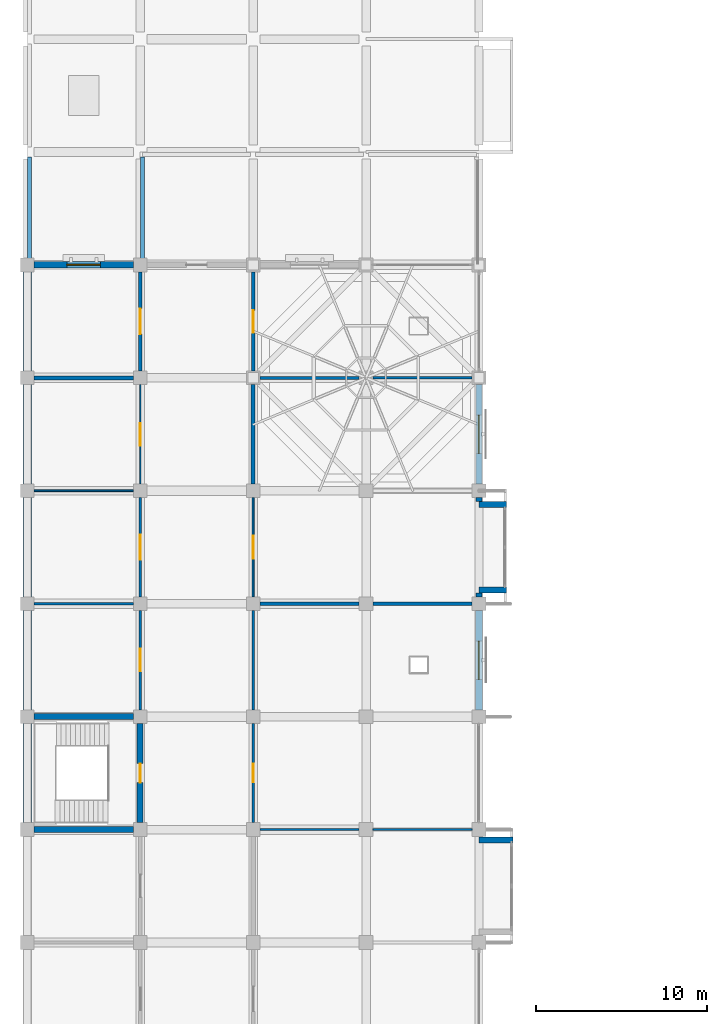
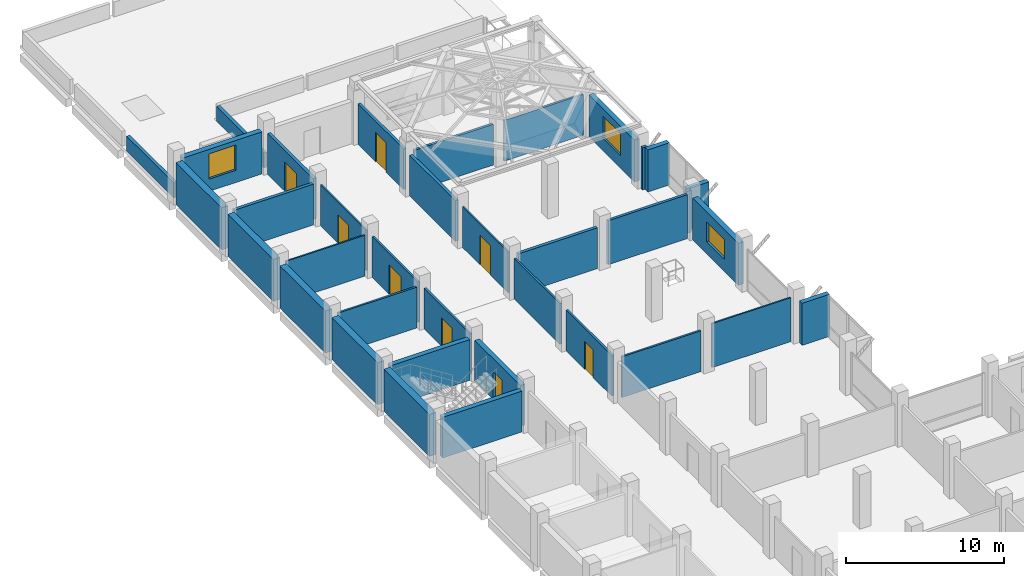
# One storey, part 18 of 25: 36 walls, 8 doors, 3 windows, 11 openings.
"""IFC4 building model written with IfcOpenShell, lengths in metres."""

from ifc_helpers import new_model, si_unit, direction, frame, frame_2d, origin, place, context, subcontext, project, spatial, rectangle, extrude, material, layer, layer_set, type_object, element, fill, save


model = new_model("IFC4")

# Units and contexts
model_context = context("Model", 3, precision=1e-05, world=origin(), true_north=direction((0.0, 1.0)))
body_context = subcontext(model_context, "Body", "Model", "MODEL_VIEW")
ifc_project = project(units=[si_unit("LENGTHUNIT", "METRE"), si_unit("AREAUNIT", "SQUARE_METRE"), si_unit("VOLUMEUNIT", "CUBIC_METRE"), si_unit("PLANEANGLEUNIT", "RADIAN"), si_unit("MASSUNIT", "GRAM", prefix="KILO")], contexts=[model_context])

# Site, building, storey
site_placement = place(None, origin())
site = spatial("IfcSite", under=ifc_project, at=site_placement, CompositionType="ELEMENT")
building_placement = place(site_placement, origin())
building = spatial("IfcBuilding", under=site, at=building_placement, Name="Rusizi Kubbe Research Institute", CompositionType="ELEMENT")
storey_placement = place(building_placement, frame((0.0, 0.0, 14.39990234375)))
storey = spatial("IfcBuildingStorey", under=building, at=storey_placement, Name="L03", CompositionType="ELEMENT", Elevation=14.39990234375)

# Walls
ifc_material_1 = material(Name="Concrete C45/55", Category="concrete")
ifc_layer_1 = layer(ifc_material_1, 0.35009765625)
ifc_layer_set_1 = layer_set([ifc_layer_1], Name="Concrete C45/55")
wall_type_1 = type_object("IfcWallType", Name="CRW-01", PredefinedType="SHEAR", material=ifc_layer_set_1)
for number, where, z_axis, x_axis, name in (
    (1, (0.39990234375, 66.0, 0.0), (0.0, 0.0, 1.0), (1.0, 0.0, 0.0), "Stair Core Shear Wall ST5 L03 S"),
    (2, (0.39990234375, 72.60009765625, 0.0), (0.0, 0.0, 1.0), (1.0, 0.0, 0.0), "Stair Core Shear Wall ST5 L03 N"),
):
    element("IfcWall", number, at=place(storey_placement, frame(where, z_axis=z_axis, x_axis=x_axis)), inside=storey, type_object=wall_type_1, Name=name, PredefinedType="SHEAR", context=body_context, shape_type="SweptSolid", body=[
        extrude(rectangle(XDim=5.800048828125, YDim=0.35009765625, at=frame_2d((2.89990234375, 0.0))), origin(), (0.0, 0.0, 1.0), 3.16015625),
    ])

# Wall, opening, door
wall_1_placement = place(storey_placement, frame((6.60009765625, 66.39990234375, 0.0), z_axis=(0.0, 0.0, 1.0), x_axis=(0.0, 1.0, 0.0)))
wall_1 = element("IfcWall", 3, at=wall_1_placement, inside=storey, type_object=wall_type_1, Name="Stair Core Shear Wall ST5 L03 E", PredefinedType="SHEAR", context=body_context, shape_type="SweptSolid", body=[
    extrude(rectangle(XDim=5.800048828125, YDim=0.35009765625, at=frame_2d((2.89990234375, 0.0))), origin(), (0.0, 0.0, 1.0), 3.16015625),
])
opening_1_placement = place(wall_1_placement, frame((2.35009765625, 0.0, 0.0)))
opening_1 = element("IfcOpeningElement", 4, at=opening_1_placement, cuts=wall_1, Name="Opening D-01", PredefinedType="OPENING", context=body_context, shape_type="SweptSolid", body=[
    extrude(rectangle(XDim=1.10009765625, YDim=2.14990234375, at=frame_2d((0.550048828125, 1.074951171875))), frame((0.0, 0.18505859375, 0.0), z_axis=(0.0, -1.0, 0.0), x_axis=(1.0, 0.0, 0.0)), (0.0, 0.0, 1.0), 0.3701171875),
])
ifc_material_2 = material(Name="Fire-Rated Steel Frame and Acoustic Timber Leaf", Category="wood")
door_type_1 = type_object("IfcDoorType", Name="ID-STAIR-110", OperationType="NOTDEFINED", PredefinedType="DOOR", material=ifc_material_2)
door_1_placement = place(opening_1_placement, origin())
door_1 = element("IfcDoor", 5, at=door_1_placement, inside=storey, type_object=door_type_1, Name="Exit Stair Door ST5 L03", OperationType="SINGLE_SWING_LEFT", OverallHeight=2.14990234375, OverallWidth=1.10009765625, PredefinedType="DOOR", context=body_context, shape_type="SweptSolid", body=[
    extrude(rectangle(XDim=1.10009765625, YDim=2.14990234375, at=frame_2d((0.550048828125, 1.074951171875))), frame((0.0, 0.02490234375, 0.0), z_axis=(0.0, -1.0, 0.0), x_axis=(1.0, 0.0, 0.0)), (0.0, 0.0, 1.0), 0.050048828125),
])
fill(opening_1, door_1)

# Wall, opening, window
ifc_material_3 = material(Name="Volcanic Basalt Ashlar Masonry", Category="masonry")
ifc_layer_2 = layer(ifc_material_3, 0.385009765625)
ifc_layer_set_2 = layer_set([ifc_layer_2], Name="Volcanic Basalt Ashlar Masonry")
wall_type_2 = type_object("IfcWallType", Name="EW-04", PredefinedType="SOLIDWALL", material=ifc_layer_set_2)
wall_2_placement = place(storey_placement, frame((0.39990234375, 99.0, 0.0), z_axis=(0.0, 0.0, 1.0), x_axis=(1.0, 0.0, 0.0)))
wall_2 = element("IfcWall", 6, at=wall_2_placement, inside=storey, type_object=wall_type_2, Name="Ablaq Stone Exterior Wall L03 H0-15", PredefinedType="SOLIDWALL", context=body_context, shape_type="SweptSolid", body=[
    extrude(rectangle(XDim=5.800048828125, YDim=0.385009765625, at=frame_2d((2.89990234375, 0.0))), origin(), (0.0, 0.0, 1.0), 3.260009765625),
])
opening_2_placement = place(wall_2_placement, frame((1.919921875, 0.0, 0.949951171875)))
opening_2 = element("IfcOpeningElement", 7, at=opening_2_placement, cuts=wall_2, Name="Opening WN-28", PredefinedType="OPENING", context=body_context, shape_type="SweptSolid", body=[
    extrude(rectangle(XDim=1.9599609375, YDim=1.9599609375, at=frame_2d((0.97998046875, 0.97998046875))), frame((0.0, 0.202392578125, 0.0), z_axis=(0.0, -1.0, 0.0), x_axis=(1.0, 0.0, 0.0)), (0.0, 0.0, 1.0), 0.405029296875),
])
ifc_material_4 = material(Name="Aluminium Frame and Solar-Control Double Glazing", Category="glass")
window_type_1 = type_object("IfcWindowType", Name="WN-28", PartitioningType="DOUBLE_PANEL_VERTICAL", PredefinedType="WINDOW", material=ifc_material_4)
window_1_placement = place(opening_2_placement, origin())
window_1 = element("IfcWindow", 8, at=window_1_placement, inside=storey, type_object=window_type_1, Name="Casement Window WN-28 L03", OverallHeight=1.9599609375, OverallWidth=1.9599609375, PartitioningType="DOUBLE_PANEL_VERTICAL", PredefinedType="WINDOW", context=body_context, shape_type="SweptSolid", body=[
    extrude(rectangle(XDim=1.9599609375, YDim=1.9599609375, at=frame_2d((0.97998046875, 0.97998046875))), frame((0.0, 0.030029296875, 0.0), z_axis=(0.0, -1.0, 0.0), x_axis=(1.0, 0.0, 0.0)), (0.0, 0.0, 1.0), 0.06005859375),
])
fill(opening_2, window_1)

wall_3_placement = place(storey_placement, frame((26.39990234375, 73.0, 0.0), z_axis=(0.0, 0.0, 1.0), x_axis=(0.0, 1.0, 0.0)))
wall_3 = element("IfcWall", 9, at=wall_3_placement, inside=storey, type_object=wall_type_2, Name="Ablaq Stone Exterior Wall L03 V4-11", PredefinedType="SOLIDWALL", context=body_context, shape_type="SweptSolid", body=[
    extrude(rectangle(XDim=5.800048828125, YDim=0.385009765625, at=frame_2d((2.89990234375, 0.0))), origin(), (0.0, 0.0, 1.0), 3.260009765625),
])
opening_3_placement = place(wall_3_placement, frame((1.780029296875, 0.0, 0.949951171875)))
opening_3 = element("IfcOpeningElement", 10, at=opening_3_placement, cuts=wall_3, Name="Opening WN-30", PredefinedType="OPENING", context=body_context, shape_type="SweptSolid", body=[
    extrude(rectangle(XDim=2.239990234375, YDim=1.52001953125, at=frame_2d((1.1201171875, 0.760009765625))), frame((0.0, 0.202392578125, 0.0), z_axis=(0.0, -1.0, 0.0), x_axis=(1.0, 0.0, 0.0)), (0.0, 0.0, 1.0), 0.405029296875),
])
ifc_material_5 = material(Name="Aluminium Frame and Solar-Control Double Glazing", Category="glass")
window_type_2 = type_object("IfcWindowType", Name="WN-30", PartitioningType="DOUBLE_PANEL_VERTICAL", PredefinedType="WINDOW", material=ifc_material_5)
window_2_placement = place(opening_3_placement, origin())
window_2 = element("IfcWindow", 11, at=window_2_placement, inside=storey, type_object=window_type_2, Name="Casement Window WN-30 L03", OverallHeight=1.52001953125, OverallWidth=2.239990234375, PartitioningType="DOUBLE_PANEL_VERTICAL", PredefinedType="WINDOW", context=body_context, shape_type="SweptSolid", body=[
    extrude(rectangle(XDim=2.239990234375, YDim=1.52001953125, at=frame_2d((1.1201171875, 0.760009765625))), frame((0.0, 0.030029296875, 0.0), z_axis=(0.0, -1.0, 0.0), x_axis=(1.0, 0.0, 0.0)), (0.0, 0.0, 1.0), 0.06005859375),
])
fill(opening_3, window_2)

# Walls
ifc_material_6 = material(Name="Volcanic Basalt Ashlar Masonry", Category="masonry")
ifc_layer_3 = layer(ifc_material_6, 0.35498046875)
ifc_layer_set_3 = layer_set([ifc_layer_3], Name="Volcanic Basalt Ashlar Masonry")
wall_type_3 = type_object("IfcWallType", Name="EW-06", PredefinedType="SOLIDWALL", material=ifc_layer_set_3)
wall_4_placement = place(storey_placement, frame((26.39990234375, 65.39990234375, 0.0), z_axis=(0.0, 0.0, 1.0), x_axis=(1.0, 0.0, 0.0)))
element("IfcWall", 12, at=wall_4_placement, inside=storey, type_object=wall_type_3, Name="Cumba Return Wall N L03 (4,9)", PredefinedType="SOLIDWALL", context=body_context, shape_type="SweptSolid", body=[
    extrude(rectangle(XDim=2.0, YDim=0.35498046875, at=frame_2d((1.0, 0.0))), origin(), (0.0, 0.0, 1.0), 3.260009765625),
])
for number, where, z_axis, x_axis, name in (
    (13, (26.39990234375, 79.60009765625, 0.0), (0.0, 0.0, 1.0), (0.0, 1.0, 0.0), "Cumba South Pier L03 (4,12)"),
    (14, (26.39990234375, 85.1826171875, 0.0), (0.0, 0.0, 1.0), (0.0, 1.0, 0.0), "Cumba North Pier L03 (4,12)"),
):
    element("IfcWall", number, at=place(storey_placement, frame(where, z_axis=z_axis, x_axis=x_axis)), inside=storey, type_object=wall_type_3, Name=name, PredefinedType="SOLIDWALL", context=body_context, shape_type="SweptSolid", body=[
        extrude(rectangle(XDim=0.21728515625, YDim=0.35498046875, at=frame_2d((0.108642578125, 0.0))), origin(), (0.0, 0.0, 1.0), 3.260009765625),
    ])
for number, where, z_axis, x_axis, name in (
    (15, (26.39990234375, 80.0, 0.0), (0.0, 0.0, 1.0), (1.0, 0.0, 0.0), "Cumba Return Wall S L03 (4,12)"),
    (16, (26.39990234375, 85.0, 0.0), (0.0, 0.0, 1.0), (1.0, 0.0, 0.0), "Cumba Return Wall N L03 (4,12)"),
):
    element("IfcWall", number, at=place(storey_placement, frame(where, z_axis=z_axis, x_axis=x_axis)), inside=storey, type_object=wall_type_3, Name=name, PredefinedType="SOLIDWALL", context=body_context, shape_type="SweptSolid", body=[
        extrude(rectangle(XDim=1.60009765625, YDim=0.35498046875, at=frame_2d((0.800048828125, 0.0))), origin(), (0.0, 0.0, 1.0), 3.260009765625),
    ])

# Wall, opening, window
wall_5_placement = place(storey_placement, frame((26.39990234375, 86.199951171875, 0.0), z_axis=(0.0, 0.0, 1.0), x_axis=(0.0, 1.0, 0.0)))
wall_5 = element("IfcWall", 17, at=wall_5_placement, inside=storey, type_object=wall_type_3, Name="Ablaq Stone Exterior Wall L03 V4-13", PredefinedType="SOLIDWALL", context=body_context, shape_type="SweptSolid", body=[
    extrude(rectangle(XDim=5.800048828125, YDim=0.35498046875, at=frame_2d((2.89990234375, 0.0))), origin(), (0.0, 0.0, 1.0), 3.260009765625),
])
opening_4_placement = place(wall_5_placement, frame((1.780029296875, 0.0, 0.949951171875)))
opening_4 = element("IfcOpeningElement", 18, at=opening_4_placement, cuts=wall_5, Name="Opening WN-31", PredefinedType="OPENING", context=body_context, shape_type="SweptSolid", body=[
    extrude(rectangle(XDim=2.239990234375, YDim=1.739990234375, at=frame_2d((1.1201171875, 0.8701171875))), frame((0.0, 0.1875, 0.0), z_axis=(0.0, -1.0, 0.0), x_axis=(1.0, 0.0, 0.0)), (0.0, 0.0, 1.0), 0.375),
])
ifc_material_7 = material(Name="Aluminium Frame and Solar-Control Double Glazing", Category="glass")
window_type_3 = type_object("IfcWindowType", Name="WN-31", PartitioningType="DOUBLE_PANEL_VERTICAL", PredefinedType="WINDOW", material=ifc_material_7)
window_3_placement = place(opening_4_placement, origin())
window_3 = element("IfcWindow", 19, at=window_3_placement, inside=storey, type_object=window_type_3, Name="Casement Window WN-31 L03", OverallHeight=1.739990234375, OverallWidth=2.239990234375, PartitioningType="DOUBLE_PANEL_VERTICAL", PredefinedType="WINDOW", context=body_context, shape_type="SweptSolid", body=[
    extrude(rectangle(XDim=2.239990234375, YDim=1.739990234375, at=frame_2d((1.1201171875, 0.8701171875))), frame((0.0, 0.030029296875, 0.0), z_axis=(0.0, -1.0, 0.0), x_axis=(1.0, 0.0, 0.0)), (0.0, 0.0, 1.0), 0.06005859375),
])
fill(opening_4, window_3)

# Wall
ifc_material_8 = material(Name="Concrete Blockwork Fire Partition", Category="masonry")
ifc_layer_4 = layer(ifc_material_8, 0.22509765625)
ifc_layer_set_4 = layer_set([ifc_layer_4], Name="Concrete Blockwork Fire Partition")
wall_type_4 = type_object("IfcWallType", Name="IW-01", PredefinedType="PARTITIONING", material=ifc_layer_set_4)
wall_6_placement = place(storey_placement, frame((0.39990234375, 92.39990234375, 0.0), z_axis=(0.0, 0.0, 1.0), x_axis=(1.0, 0.0, 0.0)))
element("IfcWall", 20, at=wall_6_placement, inside=storey, type_object=wall_type_4, Name="Interior Partition Wall L03 H0-14", PredefinedType="PARTITIONING", context=body_context, shape_type="SweptSolid", body=[
    extrude(rectangle(XDim=5.800048828125, YDim=0.22509765625, at=frame_2d((2.89990234375, 0.0))), origin(), (0.0, 0.0, 1.0), 3.16015625),
])

# Wall, opening, door
wall_7_placement = place(storey_placement, frame((6.60009765625, 92.800048828125, 0.0), z_axis=(0.0, 0.0, 1.0), x_axis=(0.0, 1.0, 0.0)))
wall_7 = element("IfcWall", 21, at=wall_7_placement, inside=storey, type_object=wall_type_4, Name="Interior Partition Wall L03 V1-14", PredefinedType="PARTITIONING", context=body_context, shape_type="SweptSolid", body=[
    extrude(rectangle(XDim=5.800048828125, YDim=0.22509765625, at=frame_2d((2.89990234375, 0.0))), origin(), (0.0, 0.0, 1.0), 3.16015625),
])
opening_5_placement = place(wall_7_placement, frame((2.159912109375, 0.0, 0.0)))
opening_5 = element("IfcOpeningElement", 22, at=opening_5_placement, cuts=wall_7, Name="Opening LD-08", PredefinedType="OPENING", context=body_context, shape_type="SweptSolid", body=[
    extrude(rectangle(XDim=1.47998046875, YDim=2.25, at=frame_2d((0.739990234375, 1.125))), frame((0.0, 0.12255859375, 0.0), z_axis=(0.0, -1.0, 0.0), x_axis=(1.0, 0.0, 0.0)), (0.0, 0.0, 1.0), 0.2451171875),
])
ifc_material_9 = material(Name="Brushed Stainless Steel Sliding Door", Category="steel")
door_type_2 = type_object("IfcDoorType", Name="LD-08", OperationType="DOUBLE_DOOR_SLIDING", PredefinedType="USERDEFINED", material=ifc_material_9)
door_2_placement = place(opening_5_placement, origin())
door_2 = element("IfcDoor", 23, at=door_2_placement, inside=storey, type_object=door_type_2, Name="Door to ISO-6 Clean Room Suite (L03-CR-14)", ObjectType="SLIDING DOOR", OperationType="DOUBLE_DOOR_SLIDING", OverallHeight=2.25, OverallWidth=1.47998046875, PredefinedType="USERDEFINED", context=body_context, shape_type="SweptSolid", body=[
    extrude(rectangle(XDim=1.47998046875, YDim=2.25, at=frame_2d((0.739990234375, 1.125))), frame((0.0, 0.02490234375, 0.0), z_axis=(0.0, -1.0, 0.0), x_axis=(1.0, 0.0, 0.0)), (0.0, 0.0, 1.0), 0.050048828125),
])
fill(opening_5, door_2)

# Walls
wall_8_placement = place(storey_placement, frame((13.199951171875, 86.199951171875, 0.0), z_axis=(0.0, 0.0, 1.0), x_axis=(0.0, 1.0, 0.0)))
element("IfcWall", 24, at=wall_8_placement, inside=storey, type_object=wall_type_4, Name="Interior Partition Wall L03 V2-13", PredefinedType="PARTITIONING", context=body_context, shape_type="SweptSolid", body=[
    extrude(rectangle(XDim=5.800048828125, YDim=0.22509765625, at=frame_2d((2.89990234375, 0.0))), origin(), (0.0, 0.0, 1.0), 3.16015625),
])
wall_9_placement = place(storey_placement, frame((13.60009765625, 79.199951171875, 0.0), z_axis=(0.0, 0.0, 1.0), x_axis=(1.0, 0.0, 0.0)))
element("IfcWall", 25, at=wall_9_placement, inside=storey, type_object=wall_type_4, Name="Interior Partition Wall L03 H2-12", PredefinedType="PARTITIONING", context=body_context, shape_type="SweptSolid", body=[
    extrude(rectangle(XDim=5.7998046875, YDim=0.22509765625, at=frame_2d((2.89990234375, 0.0))), origin(), (0.0, 0.0, 1.0), 3.16015625),
])

# Wall, opening, door
ifc_material_10 = material(Name="Insulated Cleanroom Partition", Category="masonry")
ifc_layer_5 = layer(ifc_material_10, 0.195068359375)
ifc_layer_set_5 = layer_set([ifc_layer_5], Name="Insulated Cleanroom Partition")
wall_type_5 = type_object("IfcWallType", Name="IW-02", PredefinedType="PARTITIONING", material=ifc_layer_set_5)
wall_10_placement = place(storey_placement, frame((13.199951171875, 92.800048828125, 0.0), z_axis=(0.0, 0.0, 1.0), x_axis=(0.0, 1.0, 0.0)))
wall_10 = element("IfcWall", 26, at=wall_10_placement, inside=storey, type_object=wall_type_5, Name="Interior Partition Wall L03 V2-14", PredefinedType="PARTITIONING", context=body_context, shape_type="SweptSolid", body=[
    extrude(rectangle(XDim=5.800048828125, YDim=0.195068359375, at=frame_2d((2.89990234375, 0.0))), origin(), (0.0, 0.0, 1.0), 3.16015625),
])
opening_6_placement = place(wall_10_placement, frame((2.25, 0.0, 0.0)))
opening_6 = element("IfcOpeningElement", 27, at=opening_6_placement, cuts=wall_10, Name="Opening D-14", PredefinedType="OPENING", context=body_context, shape_type="SweptSolid", body=[
    extrude(rectangle(XDim=1.300048828125, YDim=2.300048828125, at=frame_2d((0.64990234375, 1.14990234375))), frame((0.0, 0.107421875, 0.0), z_axis=(0.0, -1.0, 0.0), x_axis=(1.0, 0.0, 0.0)), (0.0, 0.0, 1.0), 0.215087890625),
])
ifc_material_11 = material(Name="Fire-Rated Steel Frame and Acoustic Timber Leaf", Category="wood")
door_type_3 = type_object("IfcDoorType", Name="ID-LAB-130", OperationType="NOTDEFINED", PredefinedType="DOOR", material=ifc_material_11)
door_3_placement = place(opening_6_placement, origin())
door_3 = element("IfcDoor", 28, at=door_3_placement, inside=storey, type_object=door_type_3, Name="Door to Computational Dry Laboratory (L03-NW-07)", OperationType="SINGLE_SWING_RIGHT", OverallHeight=2.300048828125, OverallWidth=1.300048828125, PredefinedType="DOOR", context=body_context, shape_type="SweptSolid", body=[
    extrude(rectangle(XDim=1.300048828125, YDim=2.300048828125, at=frame_2d((0.64990234375, 1.14990234375))), frame((0.0, 0.02490234375, 0.0), z_axis=(0.0, -1.0, 0.0), x_axis=(1.0, 0.0, 0.0)), (0.0, 0.0, 1.0), 0.050048828125),
])
fill(opening_6, door_3)

# Walls
wall_11_placement = place(storey_placement, frame((20.199951171875, 79.199951171875, 0.0), z_axis=(0.0, 0.0, 1.0), x_axis=(1.0, 0.0, 0.0)))
element("IfcWall", 29, at=wall_11_placement, inside=storey, type_object=wall_type_5, Name="Interior Partition Wall L03 H3-12", PredefinedType="PARTITIONING", context=body_context, shape_type="SweptSolid", body=[
    extrude(rectangle(XDim=5.800048828125, YDim=0.195068359375, at=frame_2d((2.89990234375, 0.0))), origin(), (0.0, 0.0, 1.0), 3.41015625),
])
ifc_material_12 = material(Name="Acoustic Laboratory Partition", Category="masonry")
ifc_layer_6 = layer(ifc_material_12, 0.175048828125)
ifc_layer_set_6 = layer_set([ifc_layer_6], Name="Acoustic Laboratory Partition")
wall_type_6 = type_object("IfcWallType", Name="IW-03", PredefinedType="PARTITIONING", material=ifc_layer_set_6)
wall_12_placement = place(storey_placement, frame((13.60009765625, 92.39990234375, 0.0), z_axis=(0.0, 0.0, 1.0), x_axis=(1.0, 0.0, 0.0)))
element("IfcWall", 30, at=wall_12_placement, inside=storey, type_object=wall_type_6, Name="Interior Partition Wall L03 H2-14", PredefinedType="PARTITIONING", context=body_context, shape_type="SweptSolid", body=[
    extrude(rectangle(XDim=5.7998046875, YDim=0.175048828125, at=frame_2d((2.89990234375, 0.0))), origin(), (0.0, 0.0, 1.0), 3.16015625),
])

# Wall, opening, door
ifc_material_13 = material(Name="Fire-Rated Corridor Partition", Category="masonry")
ifc_layer_7 = layer(ifc_material_13, 0.155029296875)
ifc_layer_set_7 = layer_set([ifc_layer_7], Name="Fire-Rated Corridor Partition")
wall_type_7 = type_object("IfcWallType", Name="IW-04", PredefinedType="PARTITIONING", material=ifc_layer_set_7)
wall_13_placement = place(storey_placement, frame((6.60009765625, 73.0, 0.0), z_axis=(0.0, 0.0, 1.0), x_axis=(0.0, 1.0, 0.0)))
wall_13 = element("IfcWall", 31, at=wall_13_placement, inside=storey, type_object=wall_type_7, Name="Interior Partition Wall L03 V1-11", PredefinedType="PARTITIONING", context=body_context, shape_type="SweptSolid", body=[
    extrude(rectangle(XDim=5.800048828125, YDim=0.155029296875, at=frame_2d((2.89990234375, 0.0))), origin(), (0.0, 0.0, 1.0), 3.16015625),
])
opening_7_placement = place(wall_13_placement, frame((2.239990234375, 0.0, 0.0)))
opening_7 = element("IfcOpeningElement", 32, at=opening_7_placement, cuts=wall_13, Name="Opening LD-07", PredefinedType="OPENING", context=body_context, shape_type="SweptSolid", body=[
    extrude(rectangle(XDim=1.320068359375, YDim=2.199951171875, at=frame_2d((0.66015625, 1.10009765625))), frame((0.0, 0.08740234375, 0.0), z_axis=(0.0, -1.0, 0.0), x_axis=(1.0, 0.0, 0.0)), (0.0, 0.0, 1.0), 0.175048828125),
])
ifc_material_14 = material(Name="Brushed Stainless Steel Sliding Door", Category="steel")
door_type_4 = type_object("IfcDoorType", Name="LD-07", OperationType="DOUBLE_DOOR_SLIDING", PredefinedType="USERDEFINED", material=ifc_material_14)
door_4_placement = place(opening_7_placement, origin())
door_4 = element("IfcDoor", 33, at=door_4_placement, inside=storey, type_object=door_type_4, Name="Door to Clean Room Gowning Airlock (L03-ALK-11)", ObjectType="SLIDING DOOR", OperationType="DOUBLE_DOOR_SLIDING", OverallHeight=2.199951171875, OverallWidth=1.320068359375, PredefinedType="USERDEFINED", context=body_context, shape_type="SweptSolid", body=[
    extrude(rectangle(XDim=1.320068359375, YDim=2.199951171875, at=frame_2d((0.66015625, 1.10009765625))), frame((0.0, 0.02490234375, 0.0), z_axis=(0.0, -1.0, 0.0), x_axis=(1.0, 0.0, 0.0)), (0.0, 0.0, 1.0), 0.050048828125),
])
fill(opening_7, door_4)

wall_14_placement = place(storey_placement, frame((13.199951171875, 66.39990234375, 0.0), z_axis=(0.0, 0.0, 1.0), x_axis=(0.0, 1.0, 0.0)))
wall_14 = element("IfcWall", 34, at=wall_14_placement, inside=storey, type_object=wall_type_7, Name="Interior Partition Wall L03 V2-10", PredefinedType="PARTITIONING", context=body_context, shape_type="SweptSolid", body=[
    extrude(rectangle(XDim=5.800048828125, YDim=0.155029296875, at=frame_2d((2.89990234375, 0.0))), origin(), (0.0, 0.0, 1.0), 3.16015625),
])
opening_8_placement = place(wall_14_placement, frame((2.360107421875, 0.0, 0.0)))
opening_8 = element("IfcOpeningElement", 35, at=opening_8_placement, cuts=wall_14, Name="Opening D-17", PredefinedType="OPENING", context=body_context, shape_type="SweptSolid", body=[
    extrude(rectangle(XDim=1.080078125, YDim=2.14990234375, at=frame_2d((0.5400390625, 1.074951171875))), frame((0.0, 0.08740234375, 0.0), z_axis=(0.0, -1.0, 0.0), x_axis=(1.0, 0.0, 0.0)), (0.0, 0.0, 1.0), 0.175048828125),
])
ifc_material_15 = material(Name="Fire-Rated Steel Frame and Acoustic Timber Leaf", Category="wood")
door_type_5 = type_object("IfcDoorType", Name="ID-OFF-108", OperationType="NOTDEFINED", PredefinedType="DOOR", material=ifc_material_15)
door_5_placement = place(opening_8_placement, origin())
door_5 = element("IfcDoor", 36, at=door_5_placement, inside=storey, type_object=door_type_5, Name="Door to Write-up Office (L03-NW-05)", OperationType="SINGLE_SWING_RIGHT", OverallHeight=2.14990234375, OverallWidth=1.080078125, PredefinedType="DOOR", context=body_context, shape_type="SweptSolid", body=[
    extrude(rectangle(XDim=1.080078125, YDim=2.14990234375, at=frame_2d((0.5400390625, 1.074951171875))), frame((0.0, 0.02490234375, 0.0), z_axis=(0.0, -1.0, 0.0), x_axis=(1.0, 0.0, 0.0)), (0.0, 0.0, 1.0), 0.050048828125),
])
fill(opening_8, door_5)

# Walls
wall_15_placement = place(storey_placement, frame((20.199951171875, 92.39990234375, 0.0), z_axis=(0.0, 0.0, 1.0), x_axis=(1.0, 0.0, 0.0)))
element("IfcWall", 37, at=wall_15_placement, inside=storey, type_object=wall_type_7, Name="Interior Partition Wall L03 H3-14", PredefinedType="PARTITIONING", context=body_context, shape_type="SweptSolid", body=[
    extrude(rectangle(XDim=5.800048828125, YDim=0.155029296875, at=frame_2d((2.89990234375, 0.0))), origin(), (0.0, 0.0, 1.0), 3.16015625),
])
ifc_material_16 = material(Name="Write-up Glazed Acoustic Partition", Category="masonry")
ifc_layer_8 = layer(ifc_material_16, 0.139892578125)
ifc_layer_set_8 = layer_set([ifc_layer_8], Name="Write-up Glazed Acoustic Partition")
wall_type_8 = type_object("IfcWallType", Name="IW-05", PredefinedType="PARTITIONING", material=ifc_layer_set_8)
wall_16_placement = place(storey_placement, frame((0.39990234375, 79.199951171875, 0.0), z_axis=(0.0, 0.0, 1.0), x_axis=(1.0, 0.0, 0.0)))
element("IfcWall", 38, at=wall_16_placement, inside=storey, type_object=wall_type_8, Name="Interior Partition Wall L03 H0-12", PredefinedType="PARTITIONING", context=body_context, shape_type="SweptSolid", body=[
    extrude(rectangle(XDim=5.800048828125, YDim=0.139892578125, at=frame_2d((2.89990234375, 0.0))), origin(), (0.0, 0.0, 1.0), 3.16015625),
])

# Wall, opening, door
wall_17_placement = place(storey_placement, frame((6.60009765625, 79.60009765625, 0.0), z_axis=(0.0, 0.0, 1.0), x_axis=(0.0, 1.0, 0.0)))
wall_17 = element("IfcWall", 39, at=wall_17_placement, inside=storey, type_object=wall_type_8, Name="Interior Partition Wall L03 V1-12", PredefinedType="PARTITIONING", context=body_context, shape_type="SweptSolid", body=[
    extrude(rectangle(XDim=5.7998046875, YDim=0.139892578125, at=frame_2d((2.89990234375, 0.0))), origin(), (0.0, 0.0, 1.0), 3.16015625),
])
opening_9_placement = place(wall_17_placement, frame((2.159912109375, 0.0, 0.0)))
opening_9 = element("IfcOpeningElement", 40, at=opening_9_placement, cuts=wall_17, Name="Opening LD-08", PredefinedType="OPENING", context=body_context, shape_type="SweptSolid", body=[
    extrude(rectangle(XDim=1.47998046875, YDim=2.25, at=frame_2d((0.739990234375, 1.125))), frame((0.0, 0.079833984375, 0.0), z_axis=(0.0, -1.0, 0.0), x_axis=(1.0, 0.0, 0.0)), (0.0, 0.0, 1.0), 0.159912109375),
])
door_6_placement = place(opening_9_placement, origin())
door_6 = element("IfcDoor", 41, at=door_6_placement, inside=storey, type_object=door_type_2, Name="Door to ISO-6 Clean Room Suite (L03-CR-12)", ObjectType="SLIDING DOOR", OperationType="DOUBLE_DOOR_SLIDING", OverallHeight=2.25, OverallWidth=1.47998046875, PredefinedType="USERDEFINED", context=body_context, shape_type="SweptSolid", body=[
    extrude(rectangle(XDim=1.47998046875, YDim=2.25, at=frame_2d((0.739990234375, 1.125))), frame((0.0, 0.02490234375, 0.0), z_axis=(0.0, -1.0, 0.0), x_axis=(1.0, 0.0, 0.0)), (0.0, 0.0, 1.0), 0.050048828125),
])
fill(opening_9, door_6)

# Walls
wall_18_placement = place(storey_placement, frame((13.199951171875, 73.0, 0.0), z_axis=(0.0, 0.0, 1.0), x_axis=(0.0, 1.0, 0.0)))
element("IfcWall", 42, at=wall_18_placement, inside=storey, type_object=wall_type_8, Name="Interior Partition Wall L03 V2-11", PredefinedType="PARTITIONING", context=body_context, shape_type="SweptSolid", body=[
    extrude(rectangle(XDim=5.800048828125, YDim=0.139892578125, at=frame_2d((2.89990234375, 0.0))), origin(), (0.0, 0.0, 1.0), 3.16015625),
])
wall_19_placement = place(storey_placement, frame((13.60009765625, 66.0, 0.0), z_axis=(0.0, 0.0, 1.0), x_axis=(1.0, 0.0, 0.0)))
element("IfcWall", 43, at=wall_19_placement, inside=storey, type_object=wall_type_8, Name="Interior Partition Wall L03 H2-10", PredefinedType="PARTITIONING", context=body_context, shape_type="SweptSolid", body=[
    extrude(rectangle(XDim=5.7998046875, YDim=0.139892578125, at=frame_2d((2.89990234375, 0.0))), origin(), (0.0, 0.0, 1.0), 3.16015625),
])
ifc_material_17 = material(Name="Sub-Suite Fire Partition", Category="masonry")
ifc_layer_9 = layer(ifc_material_17, 0.110107421875)
ifc_layer_set_9 = layer_set([ifc_layer_9], Name="Sub-Suite Fire Partition")
wall_type_9 = type_object("IfcWallType", Name="IW-07", PredefinedType="PARTITIONING", material=ifc_layer_set_9)
wall_20_placement = place(storey_placement, frame((0.39990234375, 85.800048828125, 0.0), z_axis=(0.0, 0.0, 1.0), x_axis=(1.0, 0.0, 0.0)))
element("IfcWall", 44, at=wall_20_placement, inside=storey, type_object=wall_type_9, Name="Interior Partition Wall L03 H0-13", PredefinedType="PARTITIONING", context=body_context, shape_type="SweptSolid", body=[
    extrude(rectangle(XDim=5.800048828125, YDim=0.110107421875, at=frame_2d((2.89990234375, 0.0))), origin(), (0.0, 0.0, 1.0), 3.16015625),
])

# Wall, opening, door
wall_21_placement = place(storey_placement, frame((6.60009765625, 86.199951171875, 0.0), z_axis=(0.0, 0.0, 1.0), x_axis=(0.0, 1.0, 0.0)))
wall_21 = element("IfcWall", 45, at=wall_21_placement, inside=storey, type_object=wall_type_9, Name="Interior Partition Wall L03 V1-13", PredefinedType="PARTITIONING", context=body_context, shape_type="SweptSolid", body=[
    extrude(rectangle(XDim=5.800048828125, YDim=0.110107421875, at=frame_2d((2.89990234375, 0.0))), origin(), (0.0, 0.0, 1.0), 3.16015625),
])
opening_10_placement = place(wall_21_placement, frame((2.239990234375, 0.0, 0.0)))
opening_10 = element("IfcOpeningElement", 46, at=opening_10_placement, cuts=wall_21, Name="Opening LD-07", PredefinedType="OPENING", context=body_context, shape_type="SweptSolid", body=[
    extrude(rectangle(XDim=1.320068359375, YDim=2.199951171875, at=frame_2d((0.66015625, 1.10009765625))), frame((0.0, 0.06494140625, 0.0), z_axis=(0.0, -1.0, 0.0), x_axis=(1.0, 0.0, 0.0)), (0.0, 0.0, 1.0), 0.130126953125),
])
door_7_placement = place(opening_10_placement, origin())
door_7 = element("IfcDoor", 47, at=door_7_placement, inside=storey, type_object=door_type_4, Name="Door to Clean Room Gowning Airlock (L03-ALK-13)", ObjectType="SLIDING DOOR", OperationType="DOUBLE_DOOR_SLIDING", OverallHeight=2.199951171875, OverallWidth=1.320068359375, PredefinedType="USERDEFINED", context=body_context, shape_type="SweptSolid", body=[
    extrude(rectangle(XDim=1.320068359375, YDim=2.199951171875, at=frame_2d((0.66015625, 1.10009765625))), frame((0.0, 0.02490234375, 0.0), z_axis=(0.0, -1.0, 0.0), x_axis=(1.0, 0.0, 0.0)), (0.0, 0.0, 1.0), 0.050048828125),
])
fill(opening_10, door_7)

wall_22_placement = place(storey_placement, frame((13.199951171875, 79.60009765625, 0.0), z_axis=(0.0, 0.0, 1.0), x_axis=(0.0, 1.0, 0.0)))
wall_22 = element("IfcWall", 48, at=wall_22_placement, inside=storey, type_object=wall_type_9, Name="Interior Partition Wall L03 V2-12", PredefinedType="PARTITIONING", context=body_context, shape_type="SweptSolid", body=[
    extrude(rectangle(XDim=5.7998046875, YDim=0.110107421875, at=frame_2d((2.89990234375, 0.0))), origin(), (0.0, 0.0, 1.0), 3.16015625),
])
opening_11_placement = place(wall_22_placement, frame((2.22509765625, 0.0, 0.0)))
opening_11 = element("IfcOpeningElement", 49, at=opening_11_placement, cuts=wall_22, Name="Opening D-13", PredefinedType="OPENING", context=body_context, shape_type="SweptSolid", body=[
    extrude(rectangle(XDim=1.35009765625, YDim=2.300048828125, at=frame_2d((0.675048828125, 1.14990234375))), frame((0.0, 0.06494140625, 0.0), z_axis=(0.0, -1.0, 0.0), x_axis=(1.0, 0.0, 0.0)), (0.0, 0.0, 1.0), 0.130126953125),
])
ifc_material_18 = material(Name="Fire-Rated Steel Frame and Acoustic Timber Leaf", Category="wood")
door_type_6 = type_object("IfcDoorType", Name="ID-LAB-135", OperationType="NOTDEFINED", PredefinedType="DOOR", material=ifc_material_18)
door_8_placement = place(opening_11_placement, origin())
door_8 = element("IfcDoor", 50, at=door_8_placement, inside=storey, type_object=door_type_6, Name="Door to Bioscience Wet Laboratory (L03-NW-06)", OperationType="SINGLE_SWING_LEFT", OverallHeight=2.300048828125, OverallWidth=1.35009765625, PredefinedType="DOOR", context=body_context, shape_type="SweptSolid", body=[
    extrude(rectangle(XDim=1.35009765625, YDim=2.300048828125, at=frame_2d((0.675048828125, 1.14990234375))), frame((0.0, 0.02490234375, 0.0), z_axis=(0.0, -1.0, 0.0), x_axis=(1.0, 0.0, 0.0)), (0.0, 0.0, 1.0), 0.050048828125),
])
fill(opening_11, door_8)

# Walls
wall_23_placement = place(storey_placement, frame((20.199951171875, 66.0, 0.0), z_axis=(0.0, 0.0, 1.0), x_axis=(1.0, 0.0, 0.0)))
element("IfcWall", 51, at=wall_23_placement, inside=storey, type_object=wall_type_9, Name="Interior Partition Wall L03 H3-10", PredefinedType="PARTITIONING", context=body_context, shape_type="SweptSolid", body=[
    extrude(rectangle(XDim=5.800048828125, YDim=0.110107421875, at=frame_2d((2.89990234375, 0.0))), origin(), (0.0, 0.0, 1.0), 3.41015625),
])
ifc_material_19 = material(Name="Volcanic Basalt Ashlar Masonry", Category="masonry")
ifc_layer_10 = layer(ifc_material_19, 0.239990234375)
ifc_layer_set_10 = layer_set([ifc_layer_10], Name="Volcanic Basalt Ashlar Masonry")
wall_type_10 = type_object("IfcWallType", Name="PRP-01", PredefinedType="PARAPET", material=ifc_layer_set_10)
for number, where, z_axis, x_axis, name in (
    (52, (6.739990234375, 99.300048828125, 0.0), (0.0, 0.0, 1.0), (0.0, 1.0, 0.0), "Terrace Divider Parapet Wall L03-002"),
    (53, (0.139892578125, 99.300048828125, 0.0), (0.0, 0.0, 1.0), (0.0, 1.0, 0.0), "Roof Parapet Wall L03-010"),
):
    element("IfcWall", number, at=place(storey_placement, frame(where, z_axis=z_axis, x_axis=x_axis)), inside=storey, type_object=wall_type_10, Name=name, PredefinedType="PARAPET", context=body_context, shape_type="SweptSolid", body=[
        extrude(rectangle(XDim=6.0, YDim=0.239990234375, at=frame_2d((3.0, 0.0))), origin(), (0.0, 0.0, 1.0), 1.150146484375),
    ])
ifc_material_20 = material(Name="Concrete C40/50", Category="concrete")
ifc_layer_11 = layer(ifc_material_20, 0.47998046875)
ifc_layer_set_11 = layer_set([ifc_layer_11], Name="Concrete C40/50")
wall_type_11 = type_object("IfcWallType", Name="PW-01", PredefinedType="SOLIDWALL", material=ifc_layer_set_11)
for number, where, z_axis, x_axis, name in (
    (54, (0.0, 66.39990234375, 0.0), (0.0, 0.0, 1.0), (0.0, 1.0, 0.0), "Blind Party Wall L03 V0-10"),
    (55, (0.0, 73.0, 0.0), (0.0, 0.0, 1.0), (0.0, 1.0, 0.0), "Blind Party Wall L03 V0-11"),
):
    element("IfcWall", number, at=place(storey_placement, frame(where, z_axis=z_axis, x_axis=x_axis)), inside=storey, type_object=wall_type_11, Name=name, PredefinedType="SOLIDWALL", context=body_context, shape_type="SweptSolid", body=[
        extrude(rectangle(XDim=5.800048828125, YDim=0.47998046875, at=frame_2d((2.89990234375, 0.0))), origin(), (0.0, 0.0, 1.0), 3.260009765625),
    ])
wall_24_placement = place(storey_placement, frame((0.0, 79.60009765625, 0.0), z_axis=(0.0, 0.0, 1.0), x_axis=(0.0, 1.0, 0.0)))
element("IfcWall", 56, at=wall_24_placement, inside=storey, type_object=wall_type_11, Name="Blind Party Wall L03 V0-12", PredefinedType="SOLIDWALL", context=body_context, shape_type="SweptSolid", body=[
    extrude(rectangle(XDim=5.7998046875, YDim=0.47998046875, at=frame_2d((2.89990234375, 0.0))), origin(), (0.0, 0.0, 1.0), 3.260009765625),
])
for number, where, z_axis, x_axis, name in (
    (57, (0.0, 86.199951171875, 0.0), (0.0, 0.0, 1.0), (0.0, 1.0, 0.0), "Blind Party Wall L03 V0-13"),
    (58, (0.0, 92.800048828125, 0.0), (0.0, 0.0, 1.0), (0.0, 1.0, 0.0), "Blind Party Wall L03 V0-14"),
):
    element("IfcWall", number, at=place(storey_placement, frame(where, z_axis=z_axis, x_axis=x_axis)), inside=storey, type_object=wall_type_11, Name=name, PredefinedType="SOLIDWALL", context=body_context, shape_type="SweptSolid", body=[
        extrude(rectangle(XDim=5.800048828125, YDim=0.47998046875, at=frame_2d((2.89990234375, 0.0))), origin(), (0.0, 0.0, 1.0), 3.260009765625),
    ])

save(model, "model.ifc")
